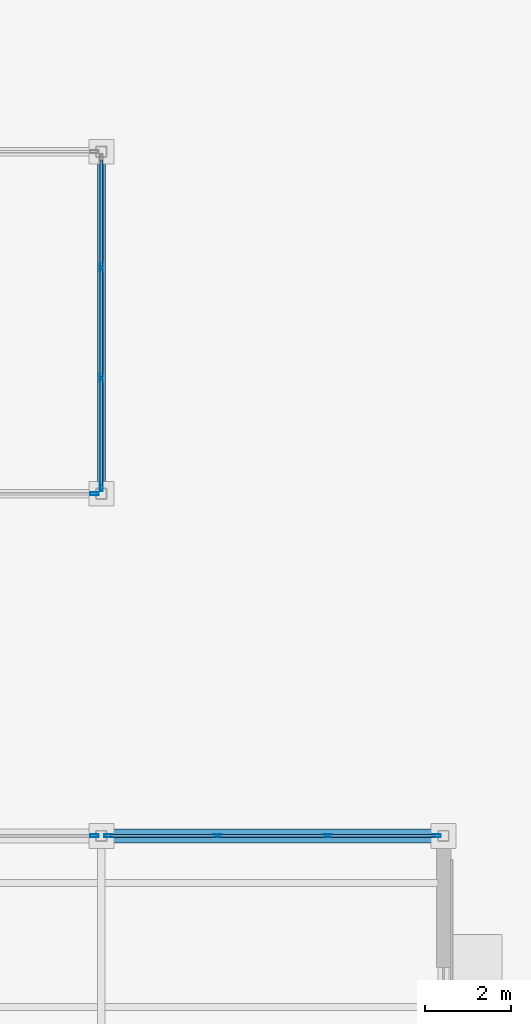
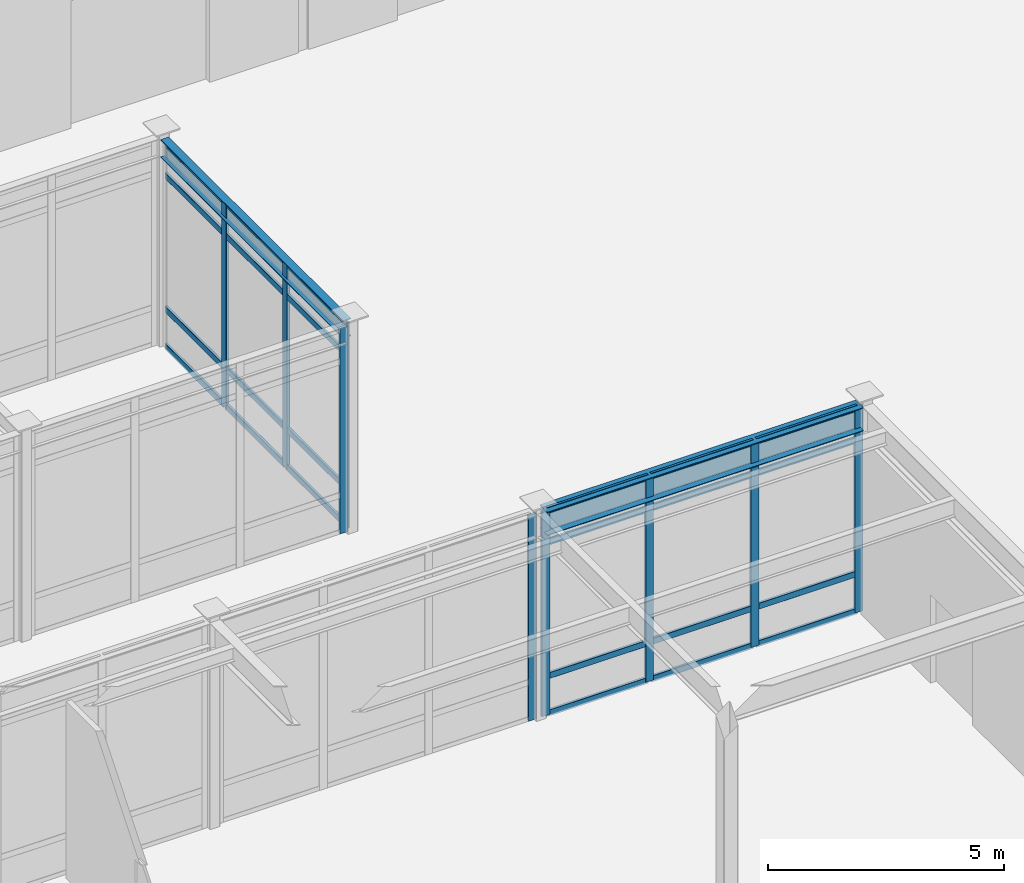
# One storey, part 82 of 128: 33 members, 2 beams, 4 elements without a shape of their own.
"""IFC4 building model written with IfcOpenShell, lengths in metres."""

from ifc_helpers import new_model, si_unit, direction, frame, origin, origin_2d, place, context, subcontext, project, spatial, hollow_rectangle, i_section, extrude, material, material_profile, profile_set, type_object, element, aggregate, save


model = new_model("IFC4")

# Units and contexts
model_context = context("Model", 3, precision=1e-05, world=origin(), true_north=direction((0.0, 1.0)))
body_context = subcontext(model_context, "Body", "Model", "MODEL_VIEW")
ifc_project = project(units=[si_unit("LENGTHUNIT", "METRE"), si_unit("AREAUNIT", "SQUARE_METRE"), si_unit("VOLUMEUNIT", "CUBIC_METRE"), si_unit("PLANEANGLEUNIT", "RADIAN"), si_unit("MASSUNIT", "GRAM", prefix="KILO")], contexts=[model_context])

# Site, building, storey
site_placement = place(None, origin())
site = spatial("IfcSite", under=ifc_project, at=site_placement, CompositionType="ELEMENT")
building_placement = place(site_placement, origin())
building = spatial("IfcBuilding", under=site, at=building_placement, Name="Solmirada Galleria", CompositionType="ELEMENT")
storey_placement = place(building_placement, origin())
storey = spatial("IfcBuildingStorey", under=building, at=storey_placement, Name="L00", CompositionType="ELEMENT", Elevation=0.0)

# Beams
ifc_material_1 = material(Name="Steel S355 / ASTM A992 Grade 50", Category="steel")
ifc_material_profile_1 = material_profile(ifc_material_1, i_section(OverallWidth=0.193115234375, OverallDepth=0.466064453125, WebThickness=0.011474609375, FlangeThickness=0.01904296875, FilletRadius=0.013916015625, at=origin_2d()), Name="W18X65")
ifc_profile_set_1 = profile_set([ifc_material_profile_1], Name="Steel S355 / ASTM A992 Grade 50")
beam_type_1 = type_object("IfcBeamType", Name="BM-GIRD-W18C", PredefinedType="BEAM", material=ifc_profile_set_1)
beam_1_placement = place(storey_placement, frame((136.0, 56.126953125, 5.139892578125), z_axis=(0.0, 1.0, 0.0), x_axis=(-1.0, 0.0, 0.0)))
element("IfcBeam", 1, at=beam_1_placement, inside=storey, type_object=beam_type_1, Name="Arcade boutique transverse girder BE", PredefinedType="BEAM", context=body_context, shape_type="SweptSolid", body=[
    extrude(i_section(OverallWidth=0.193115234375, OverallDepth=0.466064453125, WebThickness=0.011474609375, FlangeThickness=0.01904296875, FilletRadius=0.013916015625, at=origin_2d()), origin(), (0.0, 0.0, 1.0), 7.74609375),
])
ifc_material_profile_2 = material_profile(ifc_material_1, i_section(OverallWidth=0.323974609375, OverallDepth=0.611083984375, WebThickness=0.0126953125, FlangeThickness=0.01904296875, FilletRadius=0.014892578125, at=origin_2d()), Name="W24X104")
ifc_profile_set_2 = profile_set([ifc_material_profile_2], Name="Steel S355 / ASTM A992 Grade 50")
beam_type_2 = type_object("IfcBeamType", Name="BM-GIRD-W24A", PredefinedType="BEAM", material=ifc_profile_set_2)
beam_2_placement = place(storey_placement, frame((136.126953125, 48.0, 5.054443359375), z_axis=(1.0, 0.0, 0.0), x_axis=(0.0, 1.0, 0.0)))
element("IfcBeam", 2, at=beam_2_placement, inside=storey, type_object=beam_type_2, Name="Primary beam L01 X(136..144, 48)", PredefinedType="BEAM", context=body_context, shape_type="SweptSolid", body=[
    extrude(i_section(OverallWidth=0.323974609375, OverallDepth=0.611083984375, WebThickness=0.0126953125, FlangeThickness=0.01904296875, FilletRadius=0.014892578125, at=origin_2d()), origin(), (0.0, 0.0, 1.0), 7.74609375),
])

# Curtain wall, member
ifc_material_2 = material(Name="Impact-resistant low-E double glazing", Category="glass")
curtain_wall_type = type_object("IfcCurtainWallType", Name="CW-FZ5-L00-B3-L077", PredefinedType="NOTDEFINED", material=ifc_material_2)
curtain_wall_1_placement = place(storey_placement, origin())
curtain_wall_1 = element("IfcCurtainWall", 3, at=curtain_wall_1_placement, inside=storey, type_object=curtain_wall_type, Name="Terrace and arcade storefront CW-L00-021", PredefinedType="NOTDEFINED")
ifc_material_3 = material(Name="Anodised aluminium framing", Category="aluminium")
ifc_material_profile_3 = material_profile(ifc_material_3, hollow_rectangle(XDim=0.070068359375, YDim=0.199951171875, WallThickness=0.004150390625, InnerFilletRadius=0.004150390625, OuterFilletRadius=0.00830078125, at=origin_2d()), Name="ALU-MULL-200X70")
ifc_profile_set_3 = profile_set([ifc_material_profile_3], Name="Anodised aluminium framing")
member_type_1 = type_object("IfcMemberType", Name="CW-MULL-200", PredefinedType="MULLION", material=ifc_profile_set_3)
member_1_placement = place(storey_placement, frame((135.8359375, 48.0, 0.0), z_axis=(0.0, 0.0, 1.0), x_axis=(0.0, 1.0, 0.0)))
member_1 = element("IfcMember", 4, at=member_1_placement, type_object=member_type_1, Name="CW08 mullion 4", PredefinedType="MULLION", context=body_context, shape_type="SweptSolid", body=[
    extrude(hollow_rectangle(XDim=0.070068359375, YDim=0.199951171875, WallThickness=0.004150390625, InnerFilletRadius=0.004150390625, OuterFilletRadius=0.00830078125, at=origin_2d()), origin(), (0.0, 0.0, 1.0), 5.320068359375),
])
aggregate(curtain_wall_1, [member_1])

# Curtain wall, members
curtain_wall_2_placement = place(storey_placement, origin())
curtain_wall_2 = element("IfcCurtainWall", 5, at=curtain_wall_2_placement, inside=storey, type_object=curtain_wall_type, Name="Terrace and arcade storefront CW-L00-022", PredefinedType="NOTDEFINED")
member_2_placement = place(storey_placement, frame((136.1640625, 48.0, 0.0), z_axis=(0.0, 0.0, 1.0), x_axis=(0.0, 1.0, 0.0)))
member_2 = element("IfcMember", 6, at=member_2_placement, type_object=member_type_1, Name="CW08 mullion 1", PredefinedType="MULLION", context=body_context, shape_type="SweptSolid", body=[
    extrude(hollow_rectangle(XDim=0.070068359375, YDim=0.199951171875, WallThickness=0.004150390625, InnerFilletRadius=0.004150390625, OuterFilletRadius=0.00830078125, at=origin_2d()), origin(), (0.0, 0.0, 1.0), 5.320068359375),
])
member_3_placement = place(storey_placement, frame((138.709716796875, 48.0, 0.0), z_axis=(0.0, 0.0, 1.0), x_axis=(0.0, 1.0, 0.0)))
member_3 = element("IfcMember", 7, at=member_3_placement, type_object=member_type_1, Name="CW08 mullion 2", PredefinedType="MULLION", context=body_context, shape_type="SweptSolid", body=[
    extrude(hollow_rectangle(XDim=0.070068359375, YDim=0.199951171875, WallThickness=0.004150390625, InnerFilletRadius=0.004150390625, OuterFilletRadius=0.00830078125, at=origin_2d()), origin(), (0.0, 0.0, 1.0), 5.320068359375),
])
member_4_placement = place(storey_placement, frame((141.290283203125, 48.0, 0.0), z_axis=(0.0, 0.0, 1.0), x_axis=(0.0, 1.0, 0.0)))
member_4 = element("IfcMember", 8, at=member_4_placement, type_object=member_type_1, Name="CW08 mullion 3", PredefinedType="MULLION", context=body_context, shape_type="SweptSolid", body=[
    extrude(hollow_rectangle(XDim=0.070068359375, YDim=0.199951171875, WallThickness=0.004150390625, InnerFilletRadius=0.004150390625, OuterFilletRadius=0.00830078125, at=origin_2d()), origin(), (0.0, 0.0, 1.0), 5.320068359375),
])
member_5_placement = place(storey_placement, frame((143.8359375, 48.0, 0.0), z_axis=(0.0, 0.0, 1.0), x_axis=(0.0, 1.0, 0.0)))
member_5 = element("IfcMember", 9, at=member_5_placement, type_object=member_type_1, Name="CW08 mullion 4", PredefinedType="MULLION", context=body_context, shape_type="SweptSolid", body=[
    extrude(hollow_rectangle(XDim=0.070068359375, YDim=0.199951171875, WallThickness=0.004150390625, InnerFilletRadius=0.004150390625, OuterFilletRadius=0.00830078125, at=origin_2d()), origin(), (0.0, 0.0, 1.0), 5.320068359375),
])

# Curtain wall, member
curtain_wall_3_placement = place(storey_placement, origin())
curtain_wall_3 = element("IfcCurtainWall", 10, at=curtain_wall_3_placement, inside=storey, type_object=curtain_wall_type, Name="Terrace and arcade storefront CW-L00-038", PredefinedType="NOTDEFINED")
member_6_placement = place(storey_placement, frame((135.8359375, 56.0, 0.0), z_axis=(0.0, 0.0, 1.0), x_axis=(0.0, -1.0, 0.0)))
member_6 = element("IfcMember", 11, at=member_6_placement, type_object=member_type_1, Name="CW08 mullion 1", PredefinedType="MULLION", context=body_context, shape_type="SweptSolid", body=[
    extrude(hollow_rectangle(XDim=0.070068359375, YDim=0.199951171875, WallThickness=0.004150390625, InnerFilletRadius=0.004150390625, OuterFilletRadius=0.00830078125, at=origin_2d()), origin(), (0.0, 0.0, 1.0), 5.320068359375),
])
aggregate(curtain_wall_3, [member_6])

# Curtain wall, members
curtain_wall_4_placement = place(storey_placement, origin())
curtain_wall_4 = element("IfcCurtainWall", 12, at=curtain_wall_4_placement, inside=storey, type_object=curtain_wall_type, Name="Terrace and arcade storefront CW-L00-042", PredefinedType="NOTDEFINED")
member_7_placement = place(storey_placement, frame((136.0, 61.290283203125, 0.0), z_axis=(0.0, 0.0, 1.0), x_axis=(1.0, 0.0, 0.0)))
member_7 = element("IfcMember", 13, at=member_7_placement, type_object=member_type_1, Name="CW08 mullion 2", PredefinedType="MULLION", context=body_context, shape_type="SweptSolid", body=[
    extrude(hollow_rectangle(XDim=0.070068359375, YDim=0.199951171875, WallThickness=0.004150390625, InnerFilletRadius=0.004150390625, OuterFilletRadius=0.00830078125, at=origin_2d()), origin(), (0.0, 0.0, 1.0), 5.320068359375),
])
member_8_placement = place(storey_placement, frame((136.0, 58.709716796875, 0.0), z_axis=(0.0, 0.0, 1.0), x_axis=(1.0, 0.0, 0.0)))
member_8 = element("IfcMember", 14, at=member_8_placement, type_object=member_type_1, Name="CW08 mullion 3", PredefinedType="MULLION", context=body_context, shape_type="SweptSolid", body=[
    extrude(hollow_rectangle(XDim=0.070068359375, YDim=0.199951171875, WallThickness=0.004150390625, InnerFilletRadius=0.004150390625, OuterFilletRadius=0.00830078125, at=origin_2d()), origin(), (0.0, 0.0, 1.0), 5.320068359375),
])
member_9_placement = place(storey_placement, frame((136.0, 56.1640625, 0.0), z_axis=(0.0, 0.0, 1.0), x_axis=(1.0, 0.0, 0.0)))
member_9 = element("IfcMember", 15, at=member_9_placement, type_object=member_type_1, Name="CW08 mullion 4", PredefinedType="MULLION", context=body_context, shape_type="SweptSolid", body=[
    extrude(hollow_rectangle(XDim=0.070068359375, YDim=0.199951171875, WallThickness=0.004150390625, InnerFilletRadius=0.004150390625, OuterFilletRadius=0.00830078125, at=origin_2d()), origin(), (0.0, 0.0, 1.0), 5.320068359375),
])

# Member
ifc_material_profile_4 = material_profile(ifc_material_3, hollow_rectangle(XDim=0.06494140625, YDim=0.159912109375, WallThickness=0.00390625, InnerFilletRadius=0.00390625, OuterFilletRadius=0.007568359375, at=origin_2d()), Name="ALU-TRAN-160X65")
ifc_profile_set_4 = profile_set([ifc_material_profile_4], Name="Anodised aluminium framing")
member_type_2 = type_object("IfcMemberType", Name="CW-TRAN-160", PredefinedType="USERDEFINED", material=ifc_profile_set_4)
member_10_placement = place(storey_placement, frame((136.198974609375, 48.0, 0.032470703125), z_axis=(1.0, 0.0, 0.0), x_axis=(0.0, 1.0, 0.0)))
member_10 = element("IfcMember", 16, at=member_10_placement, type_object=member_type_2, Name="CW08 transom 1.1", ObjectType="TRANSOM", PredefinedType="USERDEFINED", context=body_context, shape_type="SweptSolid", body=[
    extrude(hollow_rectangle(XDim=0.06494140625, YDim=0.159912109375, WallThickness=0.00390625, InnerFilletRadius=0.00390625, OuterFilletRadius=0.007568359375, at=origin_2d()), origin(), (0.0, 0.0, 1.0), 2.4755859375),
])

member_11_placement = place(storey_placement, frame((136.198974609375, 48.0, 1.0), z_axis=(1.0, 0.0, 0.0), x_axis=(0.0, 1.0, 0.0)))
member_11 = element("IfcMember", 17, at=member_11_placement, type_object=member_type_2, Name="CW08 transom 1.2", ObjectType="TRANSOM", PredefinedType="USERDEFINED", context=body_context, shape_type="SweptSolid", body=[
    extrude(hollow_rectangle(XDim=0.06494140625, YDim=0.159912109375, WallThickness=0.00390625, InnerFilletRadius=0.00390625, OuterFilletRadius=0.007568359375, at=origin_2d()), origin(), (0.0, 0.0, 1.0), 2.4755859375),
])

member_12_placement = place(storey_placement, frame((136.198974609375, 48.0, 4.4599609375), z_axis=(1.0, 0.0, 0.0), x_axis=(0.0, 1.0, 0.0)))
member_12 = element("IfcMember", 18, at=member_12_placement, type_object=member_type_2, Name="CW08 transom 1.3", ObjectType="TRANSOM", PredefinedType="USERDEFINED", context=body_context, shape_type="SweptSolid", body=[
    extrude(hollow_rectangle(XDim=0.06494140625, YDim=0.159912109375, WallThickness=0.00390625, InnerFilletRadius=0.00390625, OuterFilletRadius=0.007568359375, at=origin_2d()), origin(), (0.0, 0.0, 1.0), 2.4755859375),
])

member_13_placement = place(storey_placement, frame((136.198974609375, 48.0, 5.28759765625), z_axis=(1.0, 0.0, 0.0), x_axis=(0.0, 1.0, 0.0)))
member_13 = element("IfcMember", 19, at=member_13_placement, type_object=member_type_2, Name="CW08 transom 1.4", ObjectType="TRANSOM", PredefinedType="USERDEFINED", context=body_context, shape_type="SweptSolid", body=[
    extrude(hollow_rectangle(XDim=0.06494140625, YDim=0.159912109375, WallThickness=0.00390625, InnerFilletRadius=0.00390625, OuterFilletRadius=0.007568359375, at=origin_2d()), origin(), (0.0, 0.0, 1.0), 2.4755859375),
])

member_14_placement = place(storey_placement, frame((138.74462890625, 48.0, 0.032470703125), z_axis=(1.0, 0.0, 0.0), x_axis=(0.0, 1.0, 0.0)))
member_14 = element("IfcMember", 20, at=member_14_placement, type_object=member_type_2, Name="CW08 transom 2.1", ObjectType="TRANSOM", PredefinedType="USERDEFINED", context=body_context, shape_type="SweptSolid", body=[
    extrude(hollow_rectangle(XDim=0.06494140625, YDim=0.159912109375, WallThickness=0.00390625, InnerFilletRadius=0.00390625, OuterFilletRadius=0.007568359375, at=origin_2d()), origin(), (0.0, 0.0, 1.0), 2.5107421875),
])

member_15_placement = place(storey_placement, frame((138.74462890625, 48.0, 1.0), z_axis=(1.0, 0.0, 0.0), x_axis=(0.0, 1.0, 0.0)))
member_15 = element("IfcMember", 21, at=member_15_placement, type_object=member_type_2, Name="CW08 transom 2.2", ObjectType="TRANSOM", PredefinedType="USERDEFINED", context=body_context, shape_type="SweptSolid", body=[
    extrude(hollow_rectangle(XDim=0.06494140625, YDim=0.159912109375, WallThickness=0.00390625, InnerFilletRadius=0.00390625, OuterFilletRadius=0.007568359375, at=origin_2d()), origin(), (0.0, 0.0, 1.0), 2.5107421875),
])

member_16_placement = place(storey_placement, frame((138.74462890625, 48.0, 4.4599609375), z_axis=(1.0, 0.0, 0.0), x_axis=(0.0, 1.0, 0.0)))
member_16 = element("IfcMember", 22, at=member_16_placement, type_object=member_type_2, Name="CW08 transom 2.3", ObjectType="TRANSOM", PredefinedType="USERDEFINED", context=body_context, shape_type="SweptSolid", body=[
    extrude(hollow_rectangle(XDim=0.06494140625, YDim=0.159912109375, WallThickness=0.00390625, InnerFilletRadius=0.00390625, OuterFilletRadius=0.007568359375, at=origin_2d()), origin(), (0.0, 0.0, 1.0), 2.5107421875),
])

member_17_placement = place(storey_placement, frame((138.74462890625, 48.0, 5.28759765625), z_axis=(1.0, 0.0, 0.0), x_axis=(0.0, 1.0, 0.0)))
member_17 = element("IfcMember", 23, at=member_17_placement, type_object=member_type_2, Name="CW08 transom 2.4", ObjectType="TRANSOM", PredefinedType="USERDEFINED", context=body_context, shape_type="SweptSolid", body=[
    extrude(hollow_rectangle(XDim=0.06494140625, YDim=0.159912109375, WallThickness=0.00390625, InnerFilletRadius=0.00390625, OuterFilletRadius=0.007568359375, at=origin_2d()), origin(), (0.0, 0.0, 1.0), 2.5107421875),
])

member_18_placement = place(storey_placement, frame((141.325439453125, 48.0, 0.032470703125), z_axis=(1.0, 0.0, 0.0), x_axis=(0.0, 1.0, 0.0)))
member_18 = element("IfcMember", 24, at=member_18_placement, type_object=member_type_2, Name="CW08 transom 3.1", ObjectType="TRANSOM", PredefinedType="USERDEFINED", context=body_context, shape_type="SweptSolid", body=[
    extrude(hollow_rectangle(XDim=0.06494140625, YDim=0.159912109375, WallThickness=0.00390625, InnerFilletRadius=0.00390625, OuterFilletRadius=0.007568359375, at=origin_2d()), origin(), (0.0, 0.0, 1.0), 2.4755859375),
])

member_19_placement = place(storey_placement, frame((141.325439453125, 48.0, 1.0), z_axis=(1.0, 0.0, 0.0), x_axis=(0.0, 1.0, 0.0)))
member_19 = element("IfcMember", 25, at=member_19_placement, type_object=member_type_2, Name="CW08 transom 3.2", ObjectType="TRANSOM", PredefinedType="USERDEFINED", context=body_context, shape_type="SweptSolid", body=[
    extrude(hollow_rectangle(XDim=0.06494140625, YDim=0.159912109375, WallThickness=0.00390625, InnerFilletRadius=0.00390625, OuterFilletRadius=0.007568359375, at=origin_2d()), origin(), (0.0, 0.0, 1.0), 2.4755859375),
])

member_20_placement = place(storey_placement, frame((141.325439453125, 48.0, 4.4599609375), z_axis=(1.0, 0.0, 0.0), x_axis=(0.0, 1.0, 0.0)))
member_20 = element("IfcMember", 26, at=member_20_placement, type_object=member_type_2, Name="CW08 transom 3.3", ObjectType="TRANSOM", PredefinedType="USERDEFINED", context=body_context, shape_type="SweptSolid", body=[
    extrude(hollow_rectangle(XDim=0.06494140625, YDim=0.159912109375, WallThickness=0.00390625, InnerFilletRadius=0.00390625, OuterFilletRadius=0.007568359375, at=origin_2d()), origin(), (0.0, 0.0, 1.0), 2.4755859375),
])

member_21_placement = place(storey_placement, frame((141.325439453125, 48.0, 5.28759765625), z_axis=(1.0, 0.0, 0.0), x_axis=(0.0, 1.0, 0.0)))
member_21 = element("IfcMember", 27, at=member_21_placement, type_object=member_type_2, Name="CW08 transom 3.4", ObjectType="TRANSOM", PredefinedType="USERDEFINED", context=body_context, shape_type="SweptSolid", body=[
    extrude(hollow_rectangle(XDim=0.06494140625, YDim=0.159912109375, WallThickness=0.00390625, InnerFilletRadius=0.00390625, OuterFilletRadius=0.007568359375, at=origin_2d()), origin(), (0.0, 0.0, 1.0), 2.4755859375),
])

aggregate(curtain_wall_2, [member_2, member_3, member_4, member_5, member_10, member_11, member_12, member_13, member_14, member_15, member_16, member_17, member_18, member_19, member_20, member_21])

member_22_placement = place(storey_placement, frame((136.0, 63.801025390625, 0.032470703125), z_axis=(0.0, -1.0, 0.0), x_axis=(1.0, 0.0, 0.0)))
member_22 = element("IfcMember", 28, at=member_22_placement, type_object=member_type_2, Name="CW08 transom 1.1", ObjectType="TRANSOM", PredefinedType="USERDEFINED", context=body_context, shape_type="SweptSolid", body=[
    extrude(hollow_rectangle(XDim=0.06494140625, YDim=0.159912109375, WallThickness=0.00390625, InnerFilletRadius=0.00390625, OuterFilletRadius=0.007568359375, at=origin_2d()), origin(), (0.0, 0.0, 1.0), 2.4755859375),
])

member_23_placement = place(storey_placement, frame((136.0, 63.801025390625, 1.0), z_axis=(0.0, -1.0, 0.0), x_axis=(1.0, 0.0, 0.0)))
member_23 = element("IfcMember", 29, at=member_23_placement, type_object=member_type_2, Name="CW08 transom 1.2", ObjectType="TRANSOM", PredefinedType="USERDEFINED", context=body_context, shape_type="SweptSolid", body=[
    extrude(hollow_rectangle(XDim=0.06494140625, YDim=0.159912109375, WallThickness=0.00390625, InnerFilletRadius=0.00390625, OuterFilletRadius=0.007568359375, at=origin_2d()), origin(), (0.0, 0.0, 1.0), 2.4755859375),
])

member_24_placement = place(storey_placement, frame((136.0, 63.801025390625, 4.4599609375), z_axis=(0.0, -1.0, 0.0), x_axis=(1.0, 0.0, 0.0)))
member_24 = element("IfcMember", 30, at=member_24_placement, type_object=member_type_2, Name="CW08 transom 1.3", ObjectType="TRANSOM", PredefinedType="USERDEFINED", context=body_context, shape_type="SweptSolid", body=[
    extrude(hollow_rectangle(XDim=0.06494140625, YDim=0.159912109375, WallThickness=0.00390625, InnerFilletRadius=0.00390625, OuterFilletRadius=0.007568359375, at=origin_2d()), origin(), (0.0, 0.0, 1.0), 2.4755859375),
])

member_25_placement = place(storey_placement, frame((136.0, 63.801025390625, 5.28759765625), z_axis=(0.0, -1.0, 0.0), x_axis=(1.0, 0.0, 0.0)))
member_25 = element("IfcMember", 31, at=member_25_placement, type_object=member_type_2, Name="CW08 transom 1.4", ObjectType="TRANSOM", PredefinedType="USERDEFINED", context=body_context, shape_type="SweptSolid", body=[
    extrude(hollow_rectangle(XDim=0.06494140625, YDim=0.159912109375, WallThickness=0.00390625, InnerFilletRadius=0.00390625, OuterFilletRadius=0.007568359375, at=origin_2d()), origin(), (0.0, 0.0, 1.0), 2.4755859375),
])

member_26_placement = place(storey_placement, frame((136.0, 61.25537109375, 0.032470703125), z_axis=(0.0, -1.0, 0.0), x_axis=(1.0, 0.0, 0.0)))
member_26 = element("IfcMember", 32, at=member_26_placement, type_object=member_type_2, Name="CW08 transom 2.1", ObjectType="TRANSOM", PredefinedType="USERDEFINED", context=body_context, shape_type="SweptSolid", body=[
    extrude(hollow_rectangle(XDim=0.06494140625, YDim=0.159912109375, WallThickness=0.00390625, InnerFilletRadius=0.00390625, OuterFilletRadius=0.007568359375, at=origin_2d()), origin(), (0.0, 0.0, 1.0), 2.5107421875),
])

member_27_placement = place(storey_placement, frame((136.0, 61.25537109375, 1.0), z_axis=(0.0, -1.0, 0.0), x_axis=(1.0, 0.0, 0.0)))
member_27 = element("IfcMember", 33, at=member_27_placement, type_object=member_type_2, Name="CW08 transom 2.2", ObjectType="TRANSOM", PredefinedType="USERDEFINED", context=body_context, shape_type="SweptSolid", body=[
    extrude(hollow_rectangle(XDim=0.06494140625, YDim=0.159912109375, WallThickness=0.00390625, InnerFilletRadius=0.00390625, OuterFilletRadius=0.007568359375, at=origin_2d()), origin(), (0.0, 0.0, 1.0), 2.5107421875),
])

member_28_placement = place(storey_placement, frame((136.0, 61.25537109375, 4.4599609375), z_axis=(0.0, -1.0, 0.0), x_axis=(1.0, 0.0, 0.0)))
member_28 = element("IfcMember", 34, at=member_28_placement, type_object=member_type_2, Name="CW08 transom 2.3", ObjectType="TRANSOM", PredefinedType="USERDEFINED", context=body_context, shape_type="SweptSolid", body=[
    extrude(hollow_rectangle(XDim=0.06494140625, YDim=0.159912109375, WallThickness=0.00390625, InnerFilletRadius=0.00390625, OuterFilletRadius=0.007568359375, at=origin_2d()), origin(), (0.0, 0.0, 1.0), 2.5107421875),
])

member_29_placement = place(storey_placement, frame((136.0, 61.25537109375, 5.28759765625), z_axis=(0.0, -1.0, 0.0), x_axis=(1.0, 0.0, 0.0)))
member_29 = element("IfcMember", 35, at=member_29_placement, type_object=member_type_2, Name="CW08 transom 2.4", ObjectType="TRANSOM", PredefinedType="USERDEFINED", context=body_context, shape_type="SweptSolid", body=[
    extrude(hollow_rectangle(XDim=0.06494140625, YDim=0.159912109375, WallThickness=0.00390625, InnerFilletRadius=0.00390625, OuterFilletRadius=0.007568359375, at=origin_2d()), origin(), (0.0, 0.0, 1.0), 2.5107421875),
])

member_30_placement = place(storey_placement, frame((136.0, 58.674560546875, 0.032470703125), z_axis=(0.0, -1.0, 0.0), x_axis=(1.0, 0.0, 0.0)))
member_30 = element("IfcMember", 36, at=member_30_placement, type_object=member_type_2, Name="CW08 transom 3.1", ObjectType="TRANSOM", PredefinedType="USERDEFINED", context=body_context, shape_type="SweptSolid", body=[
    extrude(hollow_rectangle(XDim=0.06494140625, YDim=0.159912109375, WallThickness=0.00390625, InnerFilletRadius=0.00390625, OuterFilletRadius=0.007568359375, at=origin_2d()), origin(), (0.0, 0.0, 1.0), 2.4755859375),
])

member_31_placement = place(storey_placement, frame((136.0, 58.674560546875, 1.0), z_axis=(0.0, -1.0, 0.0), x_axis=(1.0, 0.0, 0.0)))
member_31 = element("IfcMember", 37, at=member_31_placement, type_object=member_type_2, Name="CW08 transom 3.2", ObjectType="TRANSOM", PredefinedType="USERDEFINED", context=body_context, shape_type="SweptSolid", body=[
    extrude(hollow_rectangle(XDim=0.06494140625, YDim=0.159912109375, WallThickness=0.00390625, InnerFilletRadius=0.00390625, OuterFilletRadius=0.007568359375, at=origin_2d()), origin(), (0.0, 0.0, 1.0), 2.4755859375),
])

member_32_placement = place(storey_placement, frame((136.0, 58.674560546875, 4.4599609375), z_axis=(0.0, -1.0, 0.0), x_axis=(1.0, 0.0, 0.0)))
member_32 = element("IfcMember", 38, at=member_32_placement, type_object=member_type_2, Name="CW08 transom 3.3", ObjectType="TRANSOM", PredefinedType="USERDEFINED", context=body_context, shape_type="SweptSolid", body=[
    extrude(hollow_rectangle(XDim=0.06494140625, YDim=0.159912109375, WallThickness=0.00390625, InnerFilletRadius=0.00390625, OuterFilletRadius=0.007568359375, at=origin_2d()), origin(), (0.0, 0.0, 1.0), 2.4755859375),
])

member_33_placement = place(storey_placement, frame((136.0, 58.674560546875, 5.28759765625), z_axis=(0.0, -1.0, 0.0), x_axis=(1.0, 0.0, 0.0)))
member_33 = element("IfcMember", 39, at=member_33_placement, type_object=member_type_2, Name="CW08 transom 3.4", ObjectType="TRANSOM", PredefinedType="USERDEFINED", context=body_context, shape_type="SweptSolid", body=[
    extrude(hollow_rectangle(XDim=0.06494140625, YDim=0.159912109375, WallThickness=0.00390625, InnerFilletRadius=0.00390625, OuterFilletRadius=0.007568359375, at=origin_2d()), origin(), (0.0, 0.0, 1.0), 2.4755859375),
])

aggregate(curtain_wall_4, [member_7, member_8, member_9, member_22, member_23, member_24, member_25, member_26, member_27, member_28, member_29, member_30, member_31, member_32, member_33])

save(model, "model.ifc")
